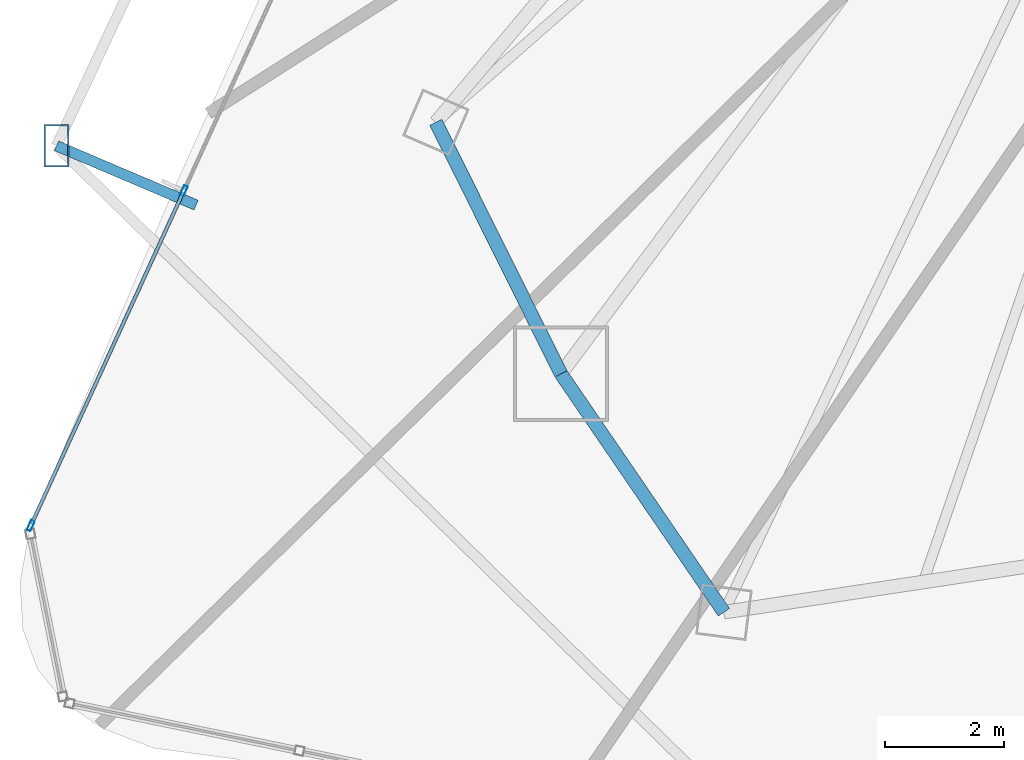
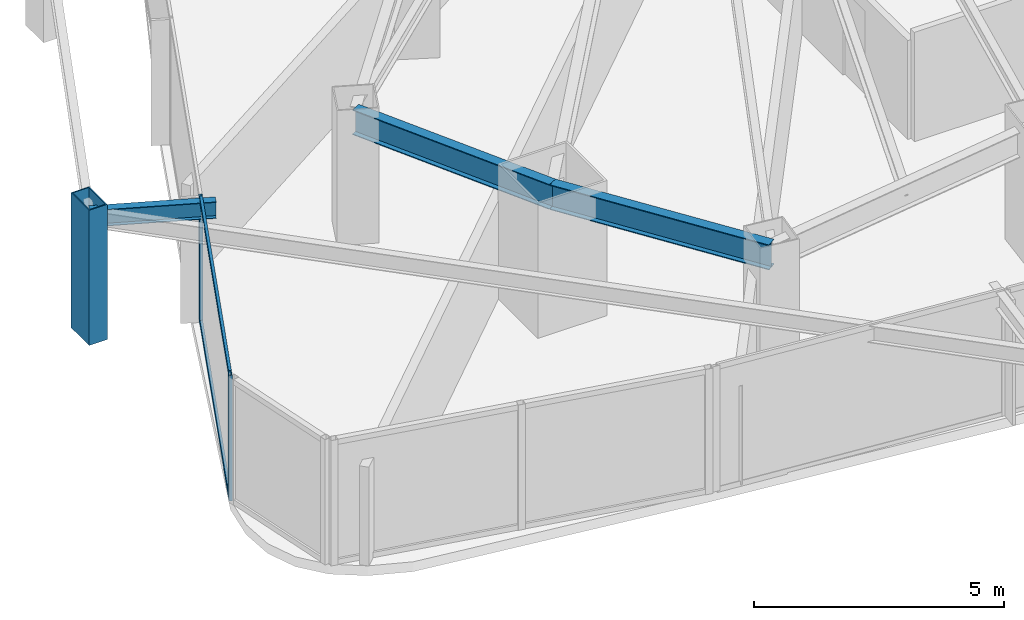
# One storey, part 5 of 34: 5 members, 3 beams, 1 element without a shape of its own.
"""IFC4 building model written with IfcOpenShell, lengths in metres."""

from ifc_helpers import new_model, si_unit, direction, frame, origin, origin_2d, place, context, subcontext, project, spatial, hollow_rectangle, i_section, extrude, material, layer, layer_set, material_profile, profile_set, type_object, element, aggregate, save


model = new_model("IFC4")

# Units and contexts
model_context = context("Model", 3, precision=1e-05, world=origin(), true_north=direction((0.0, 1.0)))
body_context = subcontext(model_context, "Body", "Model", "MODEL_VIEW")
ifc_project = project(units=[si_unit("LENGTHUNIT", "METRE"), si_unit("AREAUNIT", "SQUARE_METRE"), si_unit("VOLUMEUNIT", "CUBIC_METRE"), si_unit("PLANEANGLEUNIT", "RADIAN"), si_unit("MASSUNIT", "GRAM", prefix="KILO")], contexts=[model_context])

# Site, building, storey
site_placement = place(None, origin())
site = spatial("IfcSite", under=ifc_project, at=site_placement, CompositionType="ELEMENT")
building_placement = place(site_placement, origin())
building = spatial("IfcBuilding", under=site, at=building_placement, Name="Orvanel Arch Residences", CompositionType="ELEMENT")
storey_placement = place(building_placement, frame((0.0, 0.0, 67.550048828125)))
storey = spatial("IfcBuildingStorey", under=building, at=storey_placement, Name="L18", CompositionType="ELEMENT", Elevation=67.550048828125)

# Member
ifc_material_1 = material(Name="Structural steel AS/NZS 3678 Grade 350", Category="steel")
ifc_material_profile_1 = material_profile(ifc_material_1, hollow_rectangle(XDim=0.419921875, YDim=0.719970703125, WallThickness=0.02490234375, at=origin_2d()), Name="RHS720x420x25")
ifc_profile_set_1 = profile_set([ifc_material_profile_1], Name="Structural steel AS/NZS 3678 Grade 350")
member_type_1 = type_object("IfcMemberType", Name="CH-720RHS-EXT", PredefinedType="CHORD", material=ifc_profile_set_1)
member_1_placement = place(storey_placement, frame((5.712890625, 14.18603515625, 0.0), z_axis=(0.0, 0.0, 1.0), x_axis=(1.0, 0.0, 0.0)))
element("IfcMember", 1, at=member_1_placement, inside=storey, type_object=member_type_1, Name="L18 Outer Perimeter Frame Post 04", PredefinedType="CHORD", context=body_context, shape_type="SweptSolid", body=[
    extrude(hollow_rectangle(XDim=0.419921875, YDim=0.719970703125, WallThickness=0.02490234375, at=origin_2d()), origin(), (0.0, 0.0, 1.0), 3.300048828125),
])

# Curtain wall, members
ifc_material_2 = material(Name="Bronze-anodised aluminium AA6063-T6", Category="aluminium")
ifc_layer = layer(ifc_material_2, 0.179931640625)
ifc_layer_set = layer_set([ifc_layer], Name="Bronze-anodised aluminium AA6063-T6")
curtain_wall_type = type_object("IfcCurtainWallType", Name="CW2-LOW-SYS", PredefinedType="NOTDEFINED", material=ifc_layer_set)
curtain_wall_placement = place(storey_placement, origin())
curtain_wall = element("IfcCurtainWall", 2, at=curtain_wall_placement, inside=storey, type_object=curtain_wall_type, Name="L18 CW2-LOW-SYS Unitised Curtain Wall", PredefinedType="NOTDEFINED")
ifc_material_profile_2 = material_profile(ifc_material_2, hollow_rectangle(XDim=0.070068359375, YDim=0.179931640625, WallThickness=0.00439453125, at=origin_2d()), Name="ALU180x70x4.5")
ifc_profile_set_2 = profile_set([ifc_material_profile_2], Name="Bronze-anodised aluminium AA6063-T6")
member_type_2 = type_object("IfcMemberType", Name="MUL-180x70", PredefinedType="MULLION", material=ifc_profile_set_2)
member_2_placement = place(storey_placement, frame((7.854248046875, 13.42822265625, 0.0), z_axis=(0.0, 0.0, 1.0), x_axis=(0.909506848006, -0.415688938305, 0.0)))
member_2 = element("IfcMember", 3, at=member_2_placement, type_object=member_type_2, Name="CW-S2 mullion 3", PredefinedType="MULLION", context=body_context, shape_type="SweptSolid", body=[
    extrude(hollow_rectangle(XDim=0.070068359375, YDim=0.179931640625, WallThickness=0.00439453125, at=origin_2d()), origin(), (0.0, 0.0, 1.0), 3.06005859375),
])
member_3_placement = place(storey_placement, frame((5.279541015625, 7.794921875, 0.0), z_axis=(0.0, 0.0, 1.0), x_axis=(0.909506848006, -0.415688938305, 0.0)))
member_3 = element("IfcMember", 4, at=member_3_placement, type_object=member_type_2, Name="CW-S2 mullion 4", PredefinedType="MULLION", context=body_context, shape_type="SweptSolid", body=[
    extrude(hollow_rectangle(XDim=0.070068359375, YDim=0.179931640625, WallThickness=0.00439453125, at=origin_2d()), origin(), (0.0, 0.0, 1.0), 3.06005859375),
])

# Beams
ifc_material_3 = material(Name="Structural steel AS/NZS 3679.1 Grade 300 (300 MPa)", Category="steel")
ifc_material_profile_3 = material_profile(ifc_material_3, i_section(OverallWidth=0.177978515625, OverallDepth=0.406005859375, WebThickness=0.0078125, FlangeThickness=0.0126953125, at=origin_2d()), Name="410UB59.7")
ifc_profile_set_3 = profile_set([ifc_material_profile_3], Name="Structural steel AS/NZS 3679.1 Grade 300 (300 MPa)")
beam_type_1 = type_object("IfcBeamType", Name="OB-410UB-EXT", PredefinedType="SPANDREL", material=ifc_profile_set_3)
beam_1_placement = place(storey_placement, frame((8.06005859375, 13.18798828125, 2.85693359375), z_axis=(-0.920260265617, 0.391306840633, 0.0), x_axis=(-0.391306840633, -0.920260265617, 0.0)))
element("IfcBeam", 5, at=beam_1_placement, inside=storey, type_object=beam_type_1, Name="L18 Outer Frame Radial Tie Beam 04", PredefinedType="SPANDREL", context=body_context, shape_type="SweptSolid", body=[
    extrude(i_section(OverallWidth=0.177978515625, OverallDepth=0.406005859375, WebThickness=0.0078125, FlangeThickness=0.0126953125, at=origin_2d()), origin(), (0.0, 0.0, 1.0), 2.550537109375),
])
ifc_material_profile_4 = material_profile(ifc_material_3, i_section(OverallWidth=0.22900390625, OverallDepth=0.612060546875, WebThickness=0.011962890625, FlangeThickness=0.01953125, at=origin_2d()), Name="610UB125")
ifc_profile_set_4 = profile_set([ifc_material_profile_4], Name="Structural steel AS/NZS 3679.1 Grade 300 (300 MPa)")
beam_type_2 = type_object("IfcBeamType", Name="SP-610UB", PredefinedType="SPANDREL", material=ifc_profile_set_4)
beam_2_placement = place(storey_placement, frame((12.094970703125, 14.580078125, 2.75390625), z_axis=(0.44543469453, -0.895314432425, 0.0), x_axis=(0.895314432425, 0.44543469453, 0.0)))
element("IfcBeam", 6, at=beam_2_placement, inside=storey, type_object=beam_type_2, Name="L18 Perimeter Spandrel Beam 02", PredefinedType="SPANDREL", context=body_context, shape_type="SweptSolid", body=[
    extrude(i_section(OverallWidth=0.22900390625, OverallDepth=0.612060546875, WebThickness=0.011962890625, FlangeThickness=0.01953125, at=origin_2d()), origin(), (0.0, 0.0, 1.0), 4.723388671875),
])
beam_3_placement = place(storey_placement, frame((14.198974609375, 10.35107421875, 2.75390625), z_axis=(0.564251579852, -0.825602903722, 0.0), x_axis=(0.825602903722, 0.564251579852, 0.0)))
element("IfcBeam", 7, at=beam_3_placement, inside=storey, type_object=beam_type_2, Name="L18 Perimeter Spandrel Beam 03", PredefinedType="SPANDREL", context=body_context, shape_type="SweptSolid", body=[
    extrude(i_section(OverallWidth=0.22900390625, OverallDepth=0.612060546875, WebThickness=0.011962890625, FlangeThickness=0.01953125, at=origin_2d()), origin(), (0.0, 0.0, 1.0), 4.859375),
])

# Member
ifc_material_profile_5 = material_profile(ifc_material_2, hollow_rectangle(XDim=0.06005859375, YDim=0.135009765625, WallThickness=0.00390625, at=origin_2d()), Name="ALU135x60x4")
ifc_profile_set_5 = profile_set([ifc_material_profile_5], Name="Bronze-anodised aluminium AA6063-T6")
member_type_3 = type_object("IfcMemberType", Name="TRN-135x60", PredefinedType="USERDEFINED", material=ifc_profile_set_5)
member_4_placement = place(storey_placement, frame((7.83984375, 13.396484375, 0.030029296875), z_axis=(-0.415685329324, -0.909508497478, 0.0), x_axis=(0.909508497478, -0.415685329324, 0.0)))
member_4 = element("IfcMember", 8, at=member_4_placement, type_object=member_type_3, Name="CW-S2 transom 3.1", ObjectType="TRANSOM", PredefinedType="USERDEFINED", context=body_context, shape_type="SweptSolid", body=[
    extrude(hollow_rectangle(XDim=0.06005859375, YDim=0.135009765625, WallThickness=0.00390625, at=origin_2d()), origin(), (0.0, 0.0, 1.0), 6.1240234375),
])

member_5_placement = place(storey_placement, frame((7.83984375, 13.396484375, 3.030029296875), z_axis=(-0.415685329324, -0.909508497478, 0.0), x_axis=(0.909508497478, -0.415685329324, 0.0)))
member_5 = element("IfcMember", 9, at=member_5_placement, type_object=member_type_3, Name="CW-S2 transom 3.2", ObjectType="TRANSOM", PredefinedType="USERDEFINED", context=body_context, shape_type="SweptSolid", body=[
    extrude(hollow_rectangle(XDim=0.06005859375, YDim=0.135009765625, WallThickness=0.00390625, at=origin_2d()), origin(), (0.0, 0.0, 1.0), 6.1240234375),
])

aggregate(curtain_wall, [member_2, member_3, member_4, member_5])

save(model, "model.ifc")
